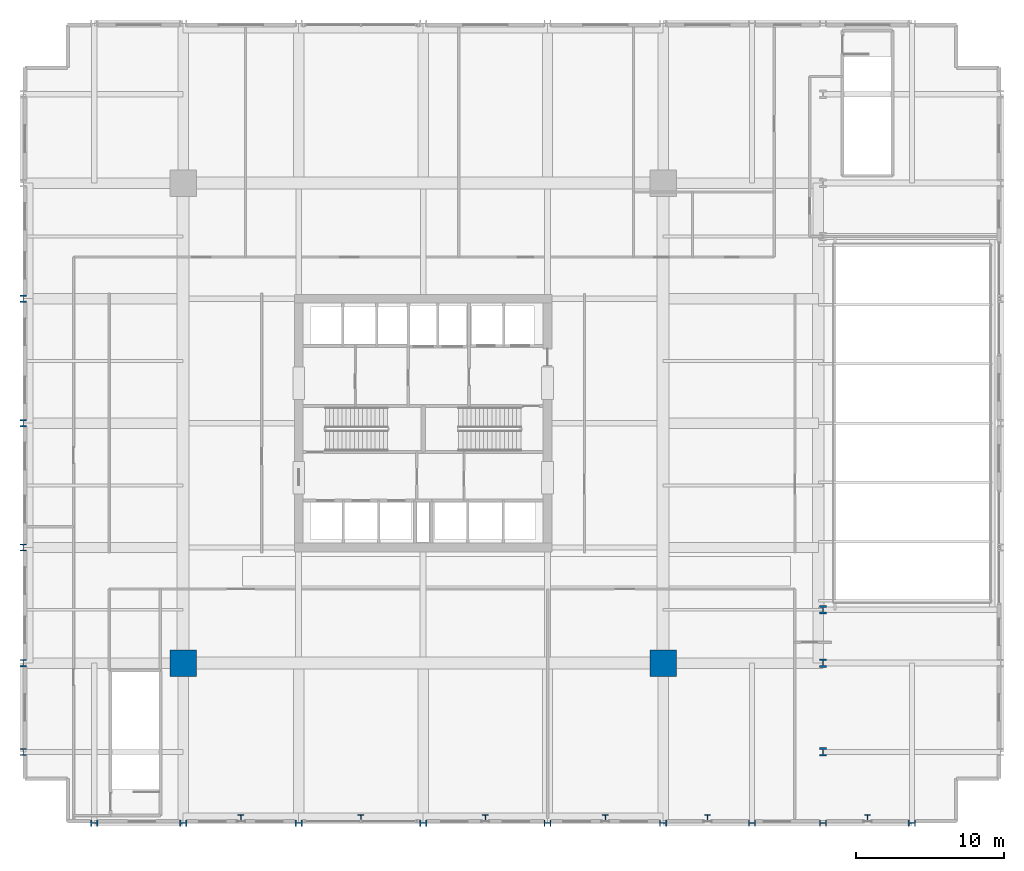
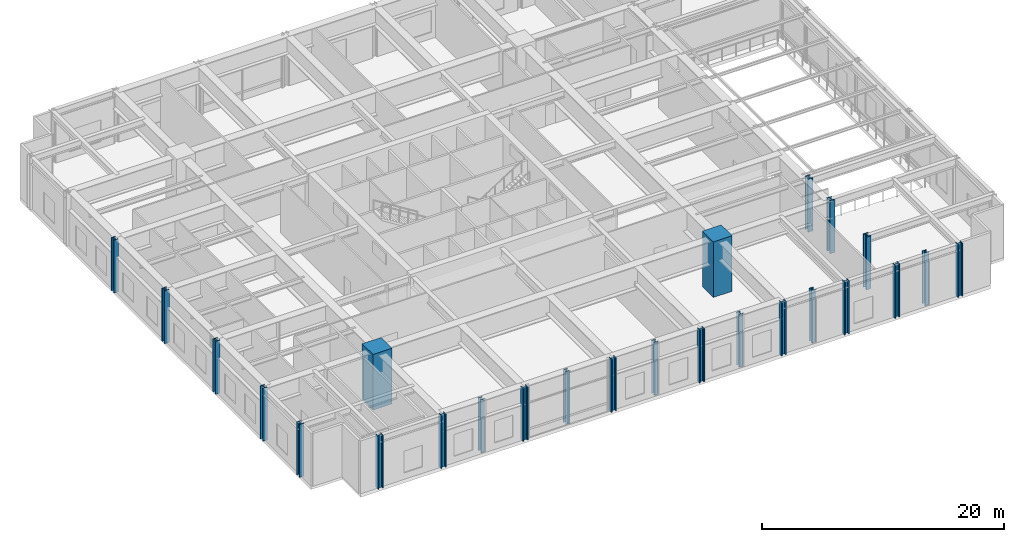
# One storey, part 1 of 19: 25 columns.
"""IFC4 building model written with IfcOpenShell, lengths in metres."""

from ifc_helpers import new_model, si_unit, direction, frame, origin, origin_2d, place, context, subcontext, project, spatial, rectangle, i_section, extrude, material, material_profile, profile_set, type_object, element, save


model = new_model("IFC4")

# Units and contexts
model_context = context("Model", 3, precision=1e-05, world=origin(), true_north=direction((0.0, 1.0)))
body_context = subcontext(model_context, "Body", "Model", "MODEL_VIEW")
ifc_project = project(units=[si_unit("LENGTHUNIT", "METRE"), si_unit("AREAUNIT", "SQUARE_METRE"), si_unit("VOLUMEUNIT", "CUBIC_METRE"), si_unit("PLANEANGLEUNIT", "RADIAN"), si_unit("MASSUNIT", "GRAM", prefix="KILO")], contexts=[model_context])

# Site, building, storey
site_placement = place(None, origin())
site = spatial("IfcSite", under=ifc_project, at=site_placement, CompositionType="ELEMENT")
building_placement = place(site_placement, origin())
building = spatial("IfcBuilding", under=site, at=building_placement, Name="Drelvath Grand Hotel", CompositionType="ELEMENT")
storey_placement = place(building_placement, frame((0.0, 0.0, 27.60009765625)))
storey = spatial("IfcBuildingStorey", under=building, at=storey_placement, Name="L05", CompositionType="ELEMENT", Elevation=27.60009765625)

# Columns
ifc_material_1 = material(Name="Steel ASTM A913 Gr 65", Category="steel")
ifc_material_profile_1 = material_profile(ifc_material_1, i_section(OverallWidth=0.4013671875, OverallDepth=0.3994140625, WebThickness=0.02490234375, FlangeThickness=0.03955078125, FilletRadius=0.02490234375, at=origin_2d()), Name="W14X211")
ifc_profile_set_1 = profile_set([ifc_material_profile_1], Name="Steel ASTM A913 Gr 65")
column_type_1 = type_object("IfcColumnType", Name="Colonnade Steel Pilaster W14X211", PredefinedType="COLUMN", material=ifc_profile_set_1)
for number, where, z_axis, x_axis, name in (
    (1, (-12.300048828125, 0.35009765625, 0.0), (0.0, 0.0, 1.0), (1.0, 0.0, 0.0), "L05 Colonnade Pilaster PIL-S1"),
    (2, (-4.199951171875, 0.35009765625, 0.0), (0.0, 0.0, 1.0), (1.0, 0.0, 0.0), "L05 Colonnade Pilaster PIL-S2"),
    (3, (4.199951171875, 0.35009765625, 0.0), (0.0, 0.0, 1.0), (1.0, 0.0, 0.0), "L05 Colonnade Pilaster PIL-S3"),
    (4, (12.300048828125, 0.35009765625, 0.0), (0.0, 0.0, 1.0), (1.0, 0.0, 0.0), "L05 Colonnade Pilaster PIL-S4"),
    (5, (19.199951171875, 0.35009765625, 0.0), (0.0, 0.0, 1.0), (1.0, 0.0, 0.0), "L05 Colonnade Pilaster PIL-S5"),
    (6, (30.0, 0.35009765625, 0.0), (0.0, 0.0, 1.0), (1.0, 0.0, 0.0), "L05 Colonnade Pilaster PIL-S6"),
):
    element("IfcColumn", number, at=place(storey_placement, frame(where, z_axis=z_axis, x_axis=x_axis)), inside=storey, type_object=column_type_1, Name=name, PredefinedType="COLUMN", context=body_context, shape_type="SweptSolid", body=[
        extrude(i_section(OverallWidth=0.4013671875, OverallDepth=0.3994140625, WebThickness=0.02490234375, FlangeThickness=0.03955078125, FilletRadius=0.02490234375, at=origin_2d()), origin(), (0.0, 0.0, 1.0), 5.31982421875),
    ])
ifc_material_2 = material(Name="Concrete f'c 70 MPa", Category="concrete")
ifc_material_profile_2 = material_profile(ifc_material_2, rectangle(XDim=1.800048828125, YDim=1.800048828125, at=origin_2d()), Name="MC1800X1800")
ifc_profile_set_2 = profile_set([ifc_material_profile_2], Name="Concrete f'c 70 MPa")
column_type_2 = type_object("IfcColumnType", Name="Composite Mega Column MC1800X1800", PredefinedType="COLUMN", material=ifc_profile_set_2)
for number, where, z_axis, x_axis, name in (
    (7, (-16.199951171875, 10.800048828125, 0.0), (0.0, 0.0, 1.0), (1.0, 0.0, 0.0), "L05 Composite Mega Column MC-SW"),
    (8, (16.199951171875, 10.800048828125, 0.0), (0.0, 0.0, 1.0), (1.0, 0.0, 0.0), "L05 Composite Mega Column MC-SE"),
):
    element("IfcColumn", number, at=place(storey_placement, frame(where, z_axis=z_axis, x_axis=x_axis)), inside=storey, type_object=column_type_2, Name=name, PredefinedType="COLUMN", context=body_context, shape_type="SweptSolid", body=[
        extrude(rectangle(XDim=1.800048828125, YDim=1.800048828125, at=origin_2d()), origin(), (0.0, 0.0, 1.0), 5.599853515625),
    ])
ifc_material_profile_3 = material_profile(ifc_material_1, i_section(OverallWidth=0.43212890625, OverallDepth=0.497802734375, WebThickness=0.0556640625, FlangeThickness=0.0888671875, FilletRadius=0.030029296875, at=origin_2d()), Name="W14X500")
ifc_profile_set_3 = profile_set([ifc_material_profile_3], Name="Steel ASTM A913 Gr 65")
column_type_3 = type_object("IfcColumnType", Name="Perimeter Steel Column W14X500", PredefinedType="COLUMN", material=ifc_profile_set_3)
for number, where, z_axis, x_axis, name in (
    (9, (-27.0, 4.800048828125, 0.0), (0.0, 0.0, 1.0), (1.0, 0.0, 0.0), "L05 Structural Column PCW-B"),
    (10, (-27.0, 10.800048828125, 0.0), (0.0, 0.0, 1.0), (1.0, 0.0, 0.0), "L05 Structural Column PCW-C"),
    (11, (-27.0, 18.60009765625, 0.0), (0.0, 0.0, 1.0), (1.0, 0.0, 0.0), "L05 Structural Column PCW-D"),
    (12, (-27.0, 27.0, 0.0), (0.0, 0.0, 1.0), (1.0, 0.0, 0.0), "L05 Structural Column PCW-E"),
    (13, (-27.0, 35.39990234375, 0.0), (0.0, 0.0, 1.0), (1.0, 0.0, 0.0), "L05 Structural Column PCW-F"),
    (14, (-22.199951171875, 0.0, 0.0), (0.0, 0.0, 1.0), (0.0, 1.0, 0.0), "L05 Structural Column PCS-2"),
    (15, (-16.199951171875, 0.0, 0.0), (0.0, 0.0, 1.0), (0.0, 1.0, 0.0), "L05 Structural Column PCS-3"),
    (16, (-8.39990234375, 0.0, 0.0), (0.0, 0.0, 1.0), (0.0, 1.0, 0.0), "L05 Structural Column PCS-4"),
    (17, (0.0, 0.0, 0.0), (0.0, 0.0, 1.0), (0.0, 1.0, 0.0), "L05 Structural Column PCS-5"),
    (18, (8.39990234375, 0.0, 0.0), (0.0, 0.0, 1.0), (0.0, 1.0, 0.0), "L05 Structural Column PCS-6"),
    (19, (16.199951171875, 0.0, 0.0), (0.0, 0.0, 1.0), (0.0, 1.0, 0.0), "L05 Structural Column PCS-7"),
    (20, (22.199951171875, 0.0, 0.0), (0.0, 0.0, 1.0), (0.0, 1.0, 0.0), "L05 Structural Column PCS-8"),
    (21, (27.0, 0.0, 0.0), (0.0, 0.0, 1.0), (0.0, 1.0, 0.0), "L05 Structural Column PCS-9"),
    (22, (33.0, 0.0, 0.0), (0.0, 0.0, 1.0), (0.0, 1.0, 0.0), "L05 Structural Column PCS-10"),
):
    element("IfcColumn", number, at=place(storey_placement, frame(where, z_axis=z_axis, x_axis=x_axis)), inside=storey, type_object=column_type_3, Name=name, PredefinedType="COLUMN", context=body_context, shape_type="SweptSolid", body=[
        extrude(i_section(OverallWidth=0.43212890625, OverallDepth=0.497802734375, WebThickness=0.0556640625, FlangeThickness=0.0888671875, FilletRadius=0.030029296875, at=origin_2d()), origin(), (0.0, 0.0, 1.0), 5.31982421875),
    ])
ifc_material_profile_4 = material_profile(ifc_material_1, i_section(OverallWidth=0.454345703125, OverallDepth=0.569091796875, WebThickness=0.077880859375, FlangeThickness=0.124755859375, FilletRadius=0.030029296875, at=origin_2d()), Name="W14X730")
ifc_profile_set_4 = profile_set([ifc_material_profile_4], Name="Steel ASTM A913 Gr 65")
column_type_4 = type_object("IfcColumnType", Name="Perimeter Steel Column W14X730", PredefinedType="COLUMN", material=ifc_profile_set_4)
for number, where, z_axis, x_axis, name in (
    (23, (27.0, 4.800048828125, 0.0), (0.0, 0.0, 1.0), (1.0, 0.0, 0.0), "L05 Structural Column PCP9-B"),
    (24, (27.0, 10.800048828125, 0.0), (0.0, 0.0, 1.0), (1.0, 0.0, 0.0), "L05 Structural Column PCP9-C"),
    (25, (27.0, 14.39990234375, 0.0), (0.0, 0.0, 1.0), (1.0, 0.0, 0.0), "L05 Structural Column PCP9-AT1"),
):
    element("IfcColumn", number, at=place(storey_placement, frame(where, z_axis=z_axis, x_axis=x_axis)), inside=storey, type_object=column_type_4, Name=name, PredefinedType="COLUMN", context=body_context, shape_type="SweptSolid", body=[
        extrude(i_section(OverallWidth=0.454345703125, OverallDepth=0.569091796875, WebThickness=0.077880859375, FlangeThickness=0.124755859375, FilletRadius=0.030029296875, at=origin_2d()), origin(), (0.0, 0.0, 1.0), 5.31982421875),
    ])

save(model, "model.ifc")
